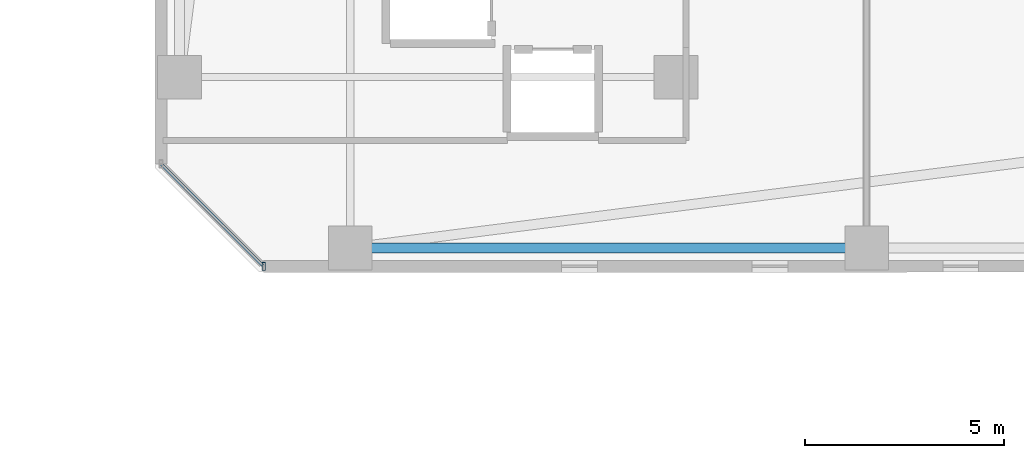
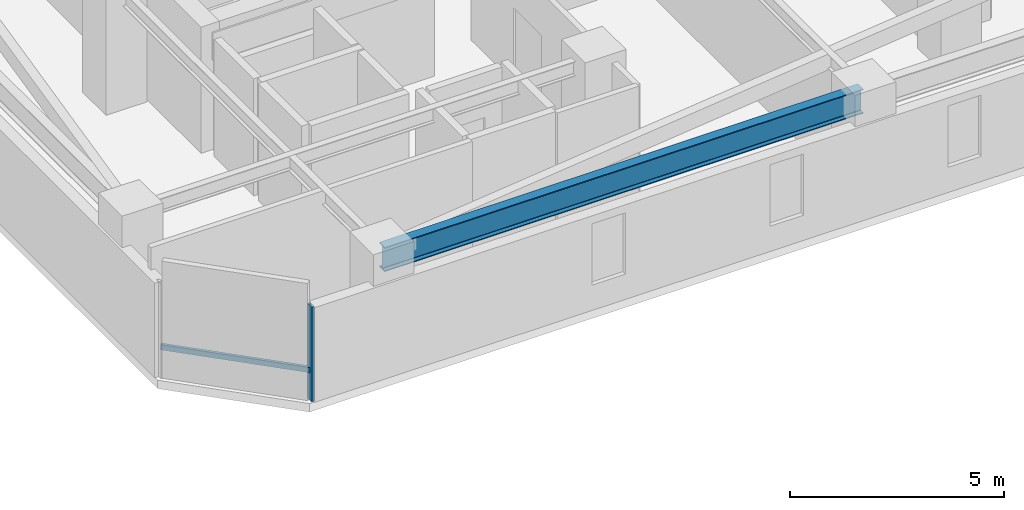
# One storey, part 12 of 32: 2 members, 1 beam, 1 element without a shape of its own.
"""IFC4 building model written with IfcOpenShell, lengths in metres."""

from ifc_helpers import new_model, si_unit, direction, frame, origin, origin_2d, place, context, subcontext, project, spatial, hollow_rectangle, i_section, extrude, material, material_profile, profile_set, type_object, element, aggregate, save


model = new_model("IFC4")

# Units and contexts
model_context = context("Model", 3, precision=1e-05, world=origin(), true_north=direction((0.0, 1.0)))
body_context = subcontext(model_context, "Body", "Model", "MODEL_VIEW")
ifc_project = project(units=[si_unit("LENGTHUNIT", "METRE"), si_unit("AREAUNIT", "SQUARE_METRE"), si_unit("VOLUMEUNIT", "CUBIC_METRE"), si_unit("PLANEANGLEUNIT", "RADIAN"), si_unit("MASSUNIT", "GRAM", prefix="KILO")], contexts=[model_context])

# Site, building, storey
site_placement = place(None, origin())
site = spatial("IfcSite", under=ifc_project, at=site_placement, CompositionType="ELEMENT")
building_placement = place(site_placement, origin())
building = spatial("IfcBuilding", under=site, at=building_placement, Name="Thornwick Lancets Civic Towers", CompositionType="ELEMENT")
storey_placement = place(building_placement, frame((0.0, 0.0, 156.300048828125)))
storey = spatial("IfcBuildingStorey", under=building, at=storey_placement, Name="L41", CompositionType="ELEMENT", Elevation=156.300048828125)

# Beam
ifc_material_1 = material(Name="Steel S355JR", Category="steel")
ifc_material_profile_1 = material_profile(ifc_material_1, i_section(OverallWidth=0.255859375, OverallDepth=0.69287109375, WebThickness=0.014404296875, FlangeThickness=0.023681640625, FilletRadius=0.01513671875, at=origin_2d()), Name="UKB 686x254x170")
ifc_profile_set_1 = profile_set([ifc_material_profile_1], Name="Steel S355JR")
beam_type = type_object("IfcBeamType", Name="BM_GIRD_686_170", PredefinedType="BEAM", material=ifc_profile_set_1)
beam_placement = place(storey_placement, frame((88.419921875, 9.699951171875, 3.013427734375), z_axis=(-1.0, 0.0, 0.0), x_axis=(0.0, -1.0, 0.0)))
element("IfcBeam", 1, at=beam_placement, inside=storey, type_object=beam_type, Name="BM-SPINE-L41-B-10-11", PredefinedType="BEAM", context=body_context, shape_type="SweptSolid", body=[
    extrude(i_section(OverallWidth=0.255859375, OverallDepth=0.69287109375, WebThickness=0.014404296875, FlangeThickness=0.023681640625, FilletRadius=0.01513671875, at=origin_2d()), origin(), (0.0, 0.0, 1.0), 12.919921875),
])

# Curtain wall, members
ifc_material_2 = material(Name="Mid-zone chamfered-corner unitised glass curtain wall", Category="glass")
curtain_wall_type = type_object("IfcCurtainWallType", Name="CW_SYS_04", PredefinedType="NOTDEFINED", material=ifc_material_2)
curtain_wall_placement = place(storey_placement, origin())
curtain_wall = element("IfcCurtainWall", 2, at=curtain_wall_placement, inside=storey, type_object=curtain_wall_type, Name="L41 Curtain Wall CW-L41-B-E7", PredefinedType="NOTDEFINED")
ifc_material_3 = material(Name="Thermally broken bronze aluminium S355", Category="steel")
ifc_material_profile_2 = material_profile(ifc_material_3, hollow_rectangle(XDim=0.080078125, YDim=0.199951171875, WallThickness=0.006103515625, at=origin_2d()), Name="RHS 200x80x6")
ifc_profile_set_2 = profile_set([ifc_material_profile_2], Name="Thermally broken bronze aluminium S355")
member_type_1 = type_object("IfcMemberType", Name="CW_MUL_200", PredefinedType="MULLION", material=ifc_profile_set_2)
member_1_placement = place(storey_placement, frame((73.318603515625, 9.2353515625, 0.0), z_axis=(0.0, 0.0, 1.0), x_axis=(1.0, 0.0, 0.0)))
member_1 = element("IfcMember", 3, at=member_1_placement, type_object=member_type_1, Name="CW-L41-B-E7 Mullion 1", PredefinedType="MULLION", context=body_context, shape_type="SweptSolid", body=[
    extrude(hollow_rectangle(XDim=0.080078125, YDim=0.199951171875, WallThickness=0.006103515625, at=origin_2d()), origin(), (0.0, 0.0, 1.0), 2.699951171875),
])
ifc_material_profile_3 = material_profile(ifc_material_3, hollow_rectangle(XDim=0.074951171875, YDim=0.14990234375, WallThickness=0.0048828125, at=origin_2d()), Name="RHS 150x75x5")
ifc_profile_set_3 = profile_set([ifc_material_profile_3], Name="Thermally broken bronze aluminium S355")
member_type_2 = type_object("IfcMemberType", Name="CW_TRN_150", PredefinedType="USERDEFINED", material=ifc_profile_set_3)
member_2_placement = place(storey_placement, frame((70.74951171875, 11.804443359375, 0.849853515625), z_axis=(0.707106781187, -0.707106781187, 0.0), x_axis=(0.707106781187, 0.707106781187, 0.0)))
member_2 = element("IfcMember", 4, at=member_2_placement, type_object=member_type_2, Name="CW-L41-B-E7 Transom 0", ObjectType="TRANSOM", PredefinedType="USERDEFINED", context=body_context, shape_type="SweptSolid", body=[
    extrude(hollow_rectangle(XDim=0.074951171875, YDim=0.14990234375, WallThickness=0.0048828125, at=origin_2d()), origin(), (0.0, 0.0, 1.0), 3.61328125),
])
aggregate(curtain_wall, [member_1, member_2])

save(model, "model.ifc")
